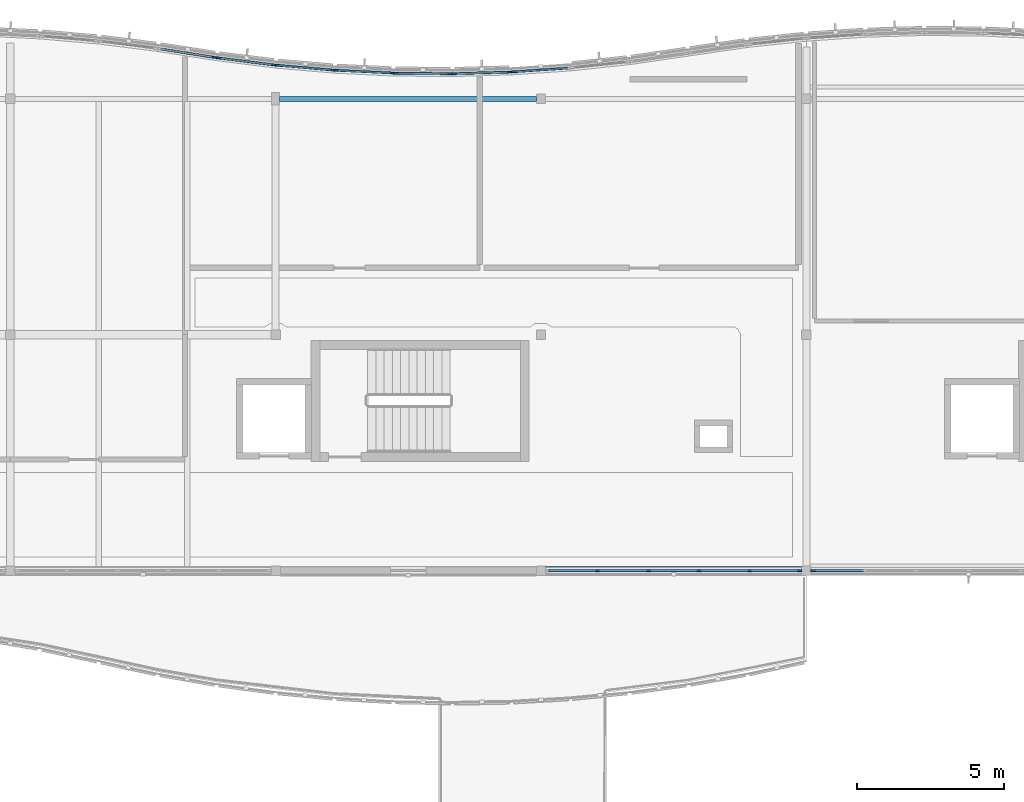
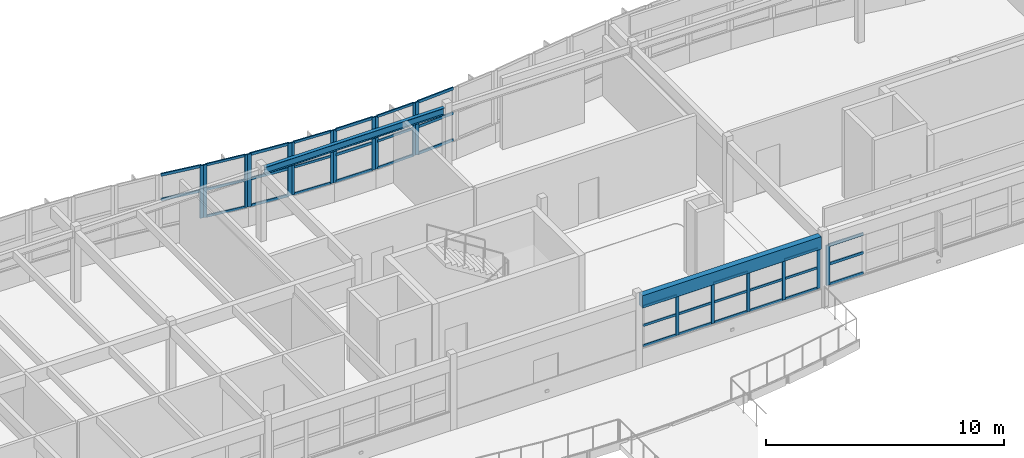
# One storey, part 8 of 33: 56 members, 2 beams, 9 elements without a shape of their own.
"""IFC4 building model written with IfcOpenShell, lengths in metres."""

from ifc_helpers import new_model, si_unit, direction, frame, origin, origin_2d, place, context, subcontext, project, spatial, rectangle, i_section, extrude, material, layer, layer_set, material_profile, profile_set, type_object, element, aggregate, save


model = new_model("IFC4")

# Units and contexts
model_context = context("Model", 3, precision=1e-05, world=origin(), true_north=direction((0.0, 1.0)))
body_context = subcontext(model_context, "Body", "Model", "MODEL_VIEW")
ifc_project = project(units=[si_unit("LENGTHUNIT", "METRE"), si_unit("AREAUNIT", "SQUARE_METRE"), si_unit("VOLUMEUNIT", "CUBIC_METRE"), si_unit("PLANEANGLEUNIT", "RADIAN"), si_unit("MASSUNIT", "GRAM", prefix="KILO")], contexts=[model_context])

# Site, building, storey
site_placement = place(None, origin())
site = spatial("IfcSite", under=ifc_project, at=site_placement, CompositionType="ELEMENT")
building_placement = place(site_placement, origin())
building = spatial("IfcBuilding", under=site, at=building_placement, Name="Tonlespit Floodbar School", CompositionType="ELEMENT")
storey_placement = place(building_placement, frame((0.0, 0.0, 16.199951171875)))
storey = spatial("IfcBuildingStorey", under=building, at=storey_placement, Name="L04", CompositionType="ELEMENT", Elevation=16.199951171875)

# Beam
ifc_material_1 = material(Name="Glulam GL28h", Category="wood")
ifc_material_profile_1 = material_profile(ifc_material_1, rectangle(XDim=0.280029296875, YDim=0.639892578125, at=origin_2d()), Name="GL 280x640")
ifc_profile_set_1 = profile_set([ifc_material_profile_1], Name="Glulam GL28h")
beam_type_1 = type_object("IfcBeamType", Name="Beam_GL_280x640", PredefinedType="BEAM", material=ifc_profile_set_1)
beam_1_placement = place(storey_placement, frame((107.159912109375, 104.0, 3.330078125), z_axis=(1.0, 0.0, 0.0), x_axis=(0.0, 1.0, 0.0)))
element("IfcBeam", 1, at=beam_1_placement, inside=storey, type_object=beam_type_1, Name="L04 girder 1286", PredefinedType="BEAM", context=body_context, shape_type="SweptSolid", body=[
    extrude(rectangle(XDim=0.280029296875, YDim=0.639892578125, at=origin_2d()), origin(), (0.0, 0.0, 1.0), 8.68017578125),
])

# Curtain wall, members
ifc_material_2 = material(Name="Anodised Aluminium", Category="aluminium")
ifc_layer_1 = layer(ifc_material_2, 0.159912109375)
ifc_layer_set_1 = layer_set([ifc_layer_1], Name="Anodised Aluminium")
curtain_wall_type_1 = type_object("IfcCurtainWallType", Name="CurtainWall_1950x2700", PredefinedType="NOTDEFINED", material=ifc_layer_set_1)
curtain_wall_1_placement = place(storey_placement, origin())
curtain_wall_1 = element("IfcCurtainWall", 2, at=curtain_wall_1_placement, inside=storey, type_object=curtain_wall_type_1, Name="L04 unitised curtain wall 0192", PredefinedType="NOTDEFINED")
ifc_material_profile_2 = material_profile(ifc_material_2, rectangle(XDim=0.06494140625, YDim=0.14990234375, at=origin_2d()), Name="ALU M65x150")
ifc_profile_set_2 = profile_set([ifc_material_profile_2], Name="Anodised Aluminium")
member_type_1 = type_object("IfcMemberType", Name="CW_Mullion_65x150", PredefinedType="MULLION", material=ifc_profile_set_2)
member_1_placement = place(storey_placement, frame((96.072021484375, 121.38525390625, 0.949951171875), z_axis=(0.0, 0.0, 1.0), x_axis=(0.125013803299, 0.992155002499, 0.0)))
member_1 = element("IfcMember", 3, at=member_1_placement, type_object=member_type_1, Name="CW-04 mullion 1", PredefinedType="MULLION", context=body_context, shape_type="SweptSolid", body=[
    extrude(rectangle(XDim=0.06494140625, YDim=0.14990234375, at=origin_2d()), origin(), (0.0, 0.0, 1.0), 2.7001953125),
])
member_2_placement = place(storey_placement, frame((97.927978515625, 121.1513671875, 0.949951171875), z_axis=(0.0, 0.0, 1.0), x_axis=(0.125013803299, 0.992155002499, 0.0)))
member_2 = element("IfcMember", 4, at=member_2_placement, type_object=member_type_1, Name="CW-04 mullion 2", PredefinedType="MULLION", context=body_context, shape_type="SweptSolid", body=[
    extrude(rectangle(XDim=0.06494140625, YDim=0.14990234375, at=origin_2d()), origin(), (0.0, 0.0, 1.0), 2.7001953125),
])

ifc_layer_2 = layer(ifc_material_2, 0.159912109375)
ifc_layer_set_2 = layer_set([ifc_layer_2], Name="Anodised Aluminium")
curtain_wall_type_2 = type_object("IfcCurtainWallType", Name="CurtainWall_1900x2700", PredefinedType="NOTDEFINED", material=ifc_layer_set_2)
curtain_wall_2_placement = place(storey_placement, origin())
curtain_wall_2 = element("IfcCurtainWall", 5, at=curtain_wall_2_placement, inside=storey, type_object=curtain_wall_type_2, Name="L04 unitised curtain wall 0194", PredefinedType="NOTDEFINED")
member_3_placement = place(storey_placement, frame((100.072509765625, 120.965087890625, 0.949951171875), z_axis=(0.0, 0.0, 1.0), x_axis=(0.048121270216, 0.998841500616, 0.0)))
member_3 = element("IfcMember", 6, at=member_3_placement, type_object=member_type_1, Name="CW-05 mullion 1", PredefinedType="MULLION", context=body_context, shape_type="SweptSolid", body=[
    extrude(rectangle(XDim=0.06494140625, YDim=0.14990234375, at=origin_2d()), origin(), (0.0, 0.0, 1.0), 2.7001953125),
])
member_4_placement = place(storey_placement, frame((101.927490234375, 120.875732421875, 0.949951171875), z_axis=(0.0, 0.0, 1.0), x_axis=(0.048121270216, 0.998841500616, 0.0)))
member_4 = element("IfcMember", 7, at=member_4_placement, type_object=member_type_1, Name="CW-05 mullion 2", PredefinedType="MULLION", context=body_context, shape_type="SweptSolid", body=[
    extrude(rectangle(XDim=0.06494140625, YDim=0.14990234375, at=origin_2d()), origin(), (0.0, 0.0, 1.0), 2.7001953125),
])

curtain_wall_3_placement = place(storey_placement, origin())
curtain_wall_3 = element("IfcCurtainWall", 8, at=curtain_wall_3_placement, inside=storey, type_object=curtain_wall_type_2, Name="L04 unitised curtain wall 0196", PredefinedType="NOTDEFINED")
member_5_placement = place(storey_placement, frame((104.072509765625, 120.855224609375, 0.949951171875), z_axis=(0.0, 0.0, 1.0), x_axis=(-0.028790144226, 0.999585477883, 0.0)))
member_5 = element("IfcMember", 9, at=member_5_placement, type_object=member_type_1, Name="CW-05 mullion 1", PredefinedType="MULLION", context=body_context, shape_type="SweptSolid", body=[
    extrude(rectangle(XDim=0.06494140625, YDim=0.14990234375, at=origin_2d()), origin(), (0.0, 0.0, 1.0), 2.7001953125),
])
member_6_placement = place(storey_placement, frame((105.927490234375, 120.908447265625, 0.949951171875), z_axis=(0.0, 0.0, 1.0), x_axis=(-0.028790144226, 0.999585477883, 0.0)))
member_6 = element("IfcMember", 10, at=member_6_placement, type_object=member_type_1, Name="CW-05 mullion 2", PredefinedType="MULLION", context=body_context, shape_type="SweptSolid", body=[
    extrude(rectangle(XDim=0.06494140625, YDim=0.14990234375, at=origin_2d()), origin(), (0.0, 0.0, 1.0), 2.7001953125),
])

ifc_layer_3 = layer(ifc_material_2, 0.159912109375)
ifc_layer_set_3 = layer_set([ifc_layer_3], Name="Anodised Aluminium")
curtain_wall_type_3 = type_object("IfcCurtainWallType", Name="CurtainWall_8600x2050", PredefinedType="NOTDEFINED", material=ifc_layer_set_3)
curtain_wall_4_placement = place(storey_placement, origin())
curtain_wall_4 = element("IfcCurtainWall", 11, at=curtain_wall_4_placement, inside=storey, type_object=curtain_wall_type_3, Name="L04 unitised curtain wall 0202", PredefinedType="NOTDEFINED")
member_7_placement = place(storey_placement, frame((115.767578125, 104.0, 0.949951171875), z_axis=(0.0, 0.0, 1.0), x_axis=(0.0, -1.0, 0.0)))
member_7 = element("IfcMember", 12, at=member_7_placement, type_object=member_type_1, Name="CW-08 mullion 1", PredefinedType="MULLION", context=body_context, shape_type="SweptSolid", body=[
    extrude(rectangle(XDim=0.06494140625, YDim=0.14990234375, at=origin_2d()), origin(), (0.0, 0.0, 1.0), 2.06005859375),
])
member_8_placement = place(storey_placement, frame((114.080078125, 104.0, 0.949951171875), z_axis=(0.0, 0.0, 1.0), x_axis=(0.0, -1.0, 0.0)))
member_8 = element("IfcMember", 13, at=member_8_placement, type_object=member_type_1, Name="CW-08 mullion 2", PredefinedType="MULLION", context=body_context, shape_type="SweptSolid", body=[
    extrude(rectangle(XDim=0.06494140625, YDim=0.14990234375, at=origin_2d()), origin(), (0.0, 0.0, 1.0), 2.06005859375),
])
member_9_placement = place(storey_placement, frame((112.360107421875, 104.0, 0.949951171875), z_axis=(0.0, 0.0, 1.0), x_axis=(0.0, -1.0, 0.0)))
member_9 = element("IfcMember", 14, at=member_9_placement, type_object=member_type_1, Name="CW-08 mullion 3", PredefinedType="MULLION", context=body_context, shape_type="SweptSolid", body=[
    extrude(rectangle(XDim=0.06494140625, YDim=0.14990234375, at=origin_2d()), origin(), (0.0, 0.0, 1.0), 2.06005859375),
])
member_10_placement = place(storey_placement, frame((110.639892578125, 104.0, 0.949951171875), z_axis=(0.0, 0.0, 1.0), x_axis=(0.0, -1.0, 0.0)))
member_10 = element("IfcMember", 15, at=member_10_placement, type_object=member_type_1, Name="CW-08 mullion 4", PredefinedType="MULLION", context=body_context, shape_type="SweptSolid", body=[
    extrude(rectangle(XDim=0.06494140625, YDim=0.14990234375, at=origin_2d()), origin(), (0.0, 0.0, 1.0), 2.06005859375),
])
member_11_placement = place(storey_placement, frame((108.919921875, 104.0, 0.949951171875), z_axis=(0.0, 0.0, 1.0), x_axis=(0.0, -1.0, 0.0)))
member_11 = element("IfcMember", 16, at=member_11_placement, type_object=member_type_1, Name="CW-08 mullion 5", PredefinedType="MULLION", context=body_context, shape_type="SweptSolid", body=[
    extrude(rectangle(XDim=0.06494140625, YDim=0.14990234375, at=origin_2d()), origin(), (0.0, 0.0, 1.0), 2.06005859375),
])

# Curtain wall, member
curtain_wall_5_placement = place(storey_placement, origin())
curtain_wall_5 = element("IfcCurtainWall", 17, at=curtain_wall_5_placement, inside=storey, type_object=curtain_wall_type_1, Name="L04 unitised curtain wall 0191", PredefinedType="NOTDEFINED")
ifc_material_profile_3 = material_profile(ifc_material_2, rectangle(XDim=0.06494140625, YDim=0.179931640625, at=origin_2d()), Name="ALU M65x180")
ifc_profile_set_3 = profile_set([ifc_material_profile_3], Name="Anodised Aluminium")
member_type_2 = type_object("IfcMemberType", Name="CW_Mullion_65x180", PredefinedType="MULLION", material=ifc_profile_set_3)
member_12_placement = place(storey_placement, frame((95.928466796875, 121.405517578125, 0.949951171875), z_axis=(0.0, 0.0, 1.0), x_axis=(0.153796288585, 0.988102576465, 0.0)))
member_12 = element("IfcMember", 18, at=member_12_placement, type_object=member_type_2, Name="CW-04 mullion 2", PredefinedType="MULLION", context=body_context, shape_type="SweptSolid", body=[
    extrude(rectangle(XDim=0.06494140625, YDim=0.179931640625, at=origin_2d()), origin(), (0.0, 0.0, 1.0), 2.7001953125),
])

# Curtain wall, members
curtain_wall_6_placement = place(storey_placement, origin())
curtain_wall_6 = element("IfcCurtainWall", 19, at=curtain_wall_6_placement, inside=storey, type_object=curtain_wall_type_1, Name="L04 unitised curtain wall 0193", PredefinedType="NOTDEFINED")
member_13_placement = place(storey_placement, frame((98.072265625, 121.135986328125, 0.949951171875), z_axis=(0.0, 0.0, 1.0), x_axis=(0.086531117454, 0.996249148412, 0.0)))
member_13 = element("IfcMember", 20, at=member_13_placement, type_object=member_type_2, Name="CW-04 mullion 1", PredefinedType="MULLION", context=body_context, shape_type="SweptSolid", body=[
    extrude(rectangle(XDim=0.06494140625, YDim=0.179931640625, at=origin_2d()), origin(), (0.0, 0.0, 1.0), 2.7001953125),
])
member_14_placement = place(storey_placement, frame((99.927734375, 120.974853515625, 0.949951171875), z_axis=(0.0, 0.0, 1.0), x_axis=(0.086531117454, 0.996249148412, 0.0)))
member_14 = element("IfcMember", 21, at=member_14_placement, type_object=member_type_2, Name="CW-04 mullion 2", PredefinedType="MULLION", context=body_context, shape_type="SweptSolid", body=[
    extrude(rectangle(XDim=0.06494140625, YDim=0.179931640625, at=origin_2d()), origin(), (0.0, 0.0, 1.0), 2.7001953125),
])

curtain_wall_7_placement = place(storey_placement, origin())
curtain_wall_7 = element("IfcCurtainWall", 22, at=curtain_wall_7_placement, inside=storey, type_object=curtain_wall_type_2, Name="L04 unitised curtain wall 0195", PredefinedType="NOTDEFINED")
member_15_placement = place(storey_placement, frame((102.072509765625, 120.87158203125, 0.949951171875), z_axis=(0.0, 0.0, 1.0), x_axis=(0.009582893292, 0.999954083024, 0.0)))
member_15 = element("IfcMember", 23, at=member_15_placement, type_object=member_type_2, Name="CW-05 mullion 1", PredefinedType="MULLION", context=body_context, shape_type="SweptSolid", body=[
    extrude(rectangle(XDim=0.06494140625, YDim=0.179931640625, at=origin_2d()), origin(), (0.0, 0.0, 1.0), 2.7001953125),
])
member_16_placement = place(storey_placement, frame((103.927490234375, 120.853759765625, 0.949951171875), z_axis=(0.0, 0.0, 1.0), x_axis=(0.009582893292, 0.999954083024, 0.0)))
member_16 = element("IfcMember", 24, at=member_16_placement, type_object=member_type_2, Name="CW-05 mullion 2", PredefinedType="MULLION", context=body_context, shape_type="SweptSolid", body=[
    extrude(rectangle(XDim=0.06494140625, YDim=0.179931640625, at=origin_2d()), origin(), (0.0, 0.0, 1.0), 2.7001953125),
])

# Curtain wall, member
curtain_wall_8_placement = place(storey_placement, origin())
curtain_wall_8 = element("IfcCurtainWall", 25, at=curtain_wall_8_placement, inside=storey, type_object=curtain_wall_type_2, Name="L04 unitised curtain wall 0197", PredefinedType="NOTDEFINED")
member_17_placement = place(storey_placement, frame((106.072265625, 120.91552734375, 0.949951171875), z_axis=(0.0, 0.0, 1.0), x_axis=(-0.067339767311, 0.99773010165, 0.0)))
member_17 = element("IfcMember", 26, at=member_17_placement, type_object=member_type_2, Name="CW-05 mullion 1", PredefinedType="MULLION", context=body_context, shape_type="SweptSolid", body=[
    extrude(rectangle(XDim=0.06494140625, YDim=0.179931640625, at=origin_2d()), origin(), (0.0, 0.0, 1.0), 2.7001953125),
])

ifc_layer_4 = layer(ifc_material_2, 0.159912109375)
ifc_layer_set_4 = layer_set([ifc_layer_4], Name="Anodised Aluminium")
curtain_wall_type_4 = type_object("IfcCurtainWallType", Name="CurtainWall_10600x2050", PredefinedType="NOTDEFINED", material=ifc_layer_set_4)
curtain_wall_9_placement = place(storey_placement, origin())
curtain_wall_9 = element("IfcCurtainWall", 27, at=curtain_wall_9_placement, inside=storey, type_object=curtain_wall_type_4, Name="L04 unitised curtain wall 0495", PredefinedType="NOTDEFINED")
member_18_placement = place(storey_placement, frame((116.232421875, 104.0, 0.949951171875), z_axis=(0.0, 0.0, 1.0), x_axis=(0.0, -1.0, 0.0)))
member_18 = element("IfcMember", 28, at=member_18_placement, type_object=member_type_2, Name="CW-80 mullion 7", PredefinedType="MULLION", context=body_context, shape_type="SweptSolid", body=[
    extrude(rectangle(XDim=0.06494140625, YDim=0.179931640625, at=origin_2d()), origin(), (0.0, 0.0, 1.0), 2.06005859375),
])

# Member
ifc_material_profile_4 = material_profile(ifc_material_2, rectangle(XDim=0.06494140625, YDim=0.1201171875, at=origin_2d()), Name="ALU T65x120")
ifc_profile_set_4 = profile_set([ifc_material_profile_4], Name="Anodised Aluminium")
member_type_3 = type_object("IfcMemberType", Name="CW_Transom_65x120", PredefinedType="USERDEFINED", material=ifc_profile_set_4)
member_19_placement = place(storey_placement, frame((96.104248046875, 121.381103515625, 0.982666015625), z_axis=(0.992165142165, -0.124933304901, 0.0), x_axis=(0.124933304901, 0.992165142165, 0.0)))
member_19 = element("IfcMember", 29, at=member_19_placement, type_object=member_type_3, Name="CW-04 transom 1.1", ObjectType="TRANSOM", PredefinedType="USERDEFINED", context=body_context, shape_type="SweptSolid", body=[
    extrude(rectangle(XDim=0.06494140625, YDim=0.1201171875, at=origin_2d()), origin(), (0.0, 0.0, 1.0), 1.8056640625),
])

member_20_placement = place(storey_placement, frame((96.104248046875, 121.381103515625, 2.35400390625), z_axis=(0.992165142165, -0.124933304901, 0.0), x_axis=(0.124933304901, 0.992165142165, 0.0)))
member_20 = element("IfcMember", 30, at=member_20_placement, type_object=member_type_3, Name="CW-04 transom 1.2", ObjectType="TRANSOM", PredefinedType="USERDEFINED", context=body_context, shape_type="SweptSolid", body=[
    extrude(rectangle(XDim=0.06494140625, YDim=0.1201171875, at=origin_2d()), origin(), (0.0, 0.0, 1.0), 1.8056640625),
])

member_21_placement = place(storey_placement, frame((96.104248046875, 121.381103515625, 3.617431640625), z_axis=(0.992165142165, -0.124933304901, 0.0), x_axis=(0.124933304901, 0.992165142165, 0.0)))
member_21 = element("IfcMember", 31, at=member_21_placement, type_object=member_type_3, Name="CW-04 transom 1.3", ObjectType="TRANSOM", PredefinedType="USERDEFINED", context=body_context, shape_type="SweptSolid", body=[
    extrude(rectangle(XDim=0.06494140625, YDim=0.1201171875, at=origin_2d()), origin(), (0.0, 0.0, 1.0), 1.8056640625),
])

aggregate(curtain_wall_1, [member_1, member_2, member_19, member_20, member_21])

member_22_placement = place(storey_placement, frame((100.10498046875, 120.96337890625, 0.982666015625), z_axis=(0.998843034795, -0.048089415069, 0.0), x_axis=(0.048089415069, 0.998843034795, 0.0)))
member_22 = element("IfcMember", 32, at=member_22_placement, type_object=member_type_3, Name="CW-05 transom 1.1", ObjectType="TRANSOM", PredefinedType="USERDEFINED", context=body_context, shape_type="SweptSolid", body=[
    extrude(rectangle(XDim=0.06494140625, YDim=0.1201171875, at=origin_2d()), origin(), (0.0, 0.0, 1.0), 1.7919921875),
])

member_23_placement = place(storey_placement, frame((100.10498046875, 120.96337890625, 2.35400390625), z_axis=(0.998843034795, -0.048089415069, 0.0), x_axis=(0.048089415069, 0.998843034795, 0.0)))
member_23 = element("IfcMember", 33, at=member_23_placement, type_object=member_type_3, Name="CW-05 transom 1.2", ObjectType="TRANSOM", PredefinedType="USERDEFINED", context=body_context, shape_type="SweptSolid", body=[
    extrude(rectangle(XDim=0.06494140625, YDim=0.1201171875, at=origin_2d()), origin(), (0.0, 0.0, 1.0), 1.7919921875),
])

member_24_placement = place(storey_placement, frame((100.10498046875, 120.96337890625, 3.617431640625), z_axis=(0.998843034795, -0.048089415069, 0.0), x_axis=(0.048089415069, 0.998843034795, 0.0)))
member_24 = element("IfcMember", 34, at=member_24_placement, type_object=member_type_3, Name="CW-05 transom 1.3", ObjectType="TRANSOM", PredefinedType="USERDEFINED", context=body_context, shape_type="SweptSolid", body=[
    extrude(rectangle(XDim=0.06494140625, YDim=0.1201171875, at=origin_2d()), origin(), (0.0, 0.0, 1.0), 1.7919921875),
])

aggregate(curtain_wall_2, [member_3, member_4, member_22, member_23, member_24])

member_25_placement = place(storey_placement, frame((104.10498046875, 120.85595703125, 0.982666015625), z_axis=(0.999582242166, 0.028902268868, 0.0), x_axis=(-0.028902268868, 0.999582242166, 0.0)))
member_25 = element("IfcMember", 35, at=member_25_placement, type_object=member_type_3, Name="CW-05 transom 1.1", ObjectType="TRANSOM", PredefinedType="USERDEFINED", context=body_context, shape_type="SweptSolid", body=[
    extrude(rectangle(XDim=0.06494140625, YDim=0.1201171875, at=origin_2d()), origin(), (0.0, 0.0, 1.0), 1.790771484375),
])

member_26_placement = place(storey_placement, frame((104.10498046875, 120.85595703125, 2.35400390625), z_axis=(0.999582242166, 0.028902268868, 0.0), x_axis=(-0.028902268868, 0.999582242166, 0.0)))
member_26 = element("IfcMember", 36, at=member_26_placement, type_object=member_type_3, Name="CW-05 transom 1.2", ObjectType="TRANSOM", PredefinedType="USERDEFINED", context=body_context, shape_type="SweptSolid", body=[
    extrude(rectangle(XDim=0.06494140625, YDim=0.1201171875, at=origin_2d()), origin(), (0.0, 0.0, 1.0), 1.790771484375),
])

member_27_placement = place(storey_placement, frame((104.10498046875, 120.85595703125, 3.617431640625), z_axis=(0.999582242166, 0.028902268868, 0.0), x_axis=(-0.028902268868, 0.999582242166, 0.0)))
member_27 = element("IfcMember", 37, at=member_27_placement, type_object=member_type_3, Name="CW-05 transom 1.3", ObjectType="TRANSOM", PredefinedType="USERDEFINED", context=body_context, shape_type="SweptSolid", body=[
    extrude(rectangle(XDim=0.06494140625, YDim=0.1201171875, at=origin_2d()), origin(), (0.0, 0.0, 1.0), 1.790771484375),
])

aggregate(curtain_wall_3, [member_5, member_6, member_25, member_26, member_27])

member_28_placement = place(storey_placement, frame((115.735107421875, 104.0, 0.982666015625), z_axis=(-1.0, 0.0, 0.0), x_axis=(0.0, -1.0, 0.0)))
member_28 = element("IfcMember", 38, at=member_28_placement, type_object=member_type_3, Name="CW-08 transom 1.1", ObjectType="TRANSOM", PredefinedType="USERDEFINED", context=body_context, shape_type="SweptSolid", body=[
    extrude(rectangle(XDim=0.06494140625, YDim=0.1201171875, at=origin_2d()), origin(), (0.0, 0.0, 1.0), 1.62255859375),
])

member_29_placement = place(storey_placement, frame((115.735107421875, 104.0, 2.021240234375), z_axis=(-1.0, 0.0, 0.0), x_axis=(0.0, -1.0, 0.0)))
member_29 = element("IfcMember", 39, at=member_29_placement, type_object=member_type_3, Name="CW-08 transom 1.2", ObjectType="TRANSOM", PredefinedType="USERDEFINED", context=body_context, shape_type="SweptSolid", body=[
    extrude(rectangle(XDim=0.06494140625, YDim=0.1201171875, at=origin_2d()), origin(), (0.0, 0.0, 1.0), 1.62255859375),
])

member_30_placement = place(storey_placement, frame((115.735107421875, 104.0, 2.9775390625), z_axis=(-1.0, 0.0, 0.0), x_axis=(0.0, -1.0, 0.0)))
member_30 = element("IfcMember", 40, at=member_30_placement, type_object=member_type_3, Name="CW-08 transom 1.3", ObjectType="TRANSOM", PredefinedType="USERDEFINED", context=body_context, shape_type="SweptSolid", body=[
    extrude(rectangle(XDim=0.06494140625, YDim=0.1201171875, at=origin_2d()), origin(), (0.0, 0.0, 1.0), 1.62255859375),
])

member_31_placement = place(storey_placement, frame((114.047607421875, 104.0, 0.982666015625), z_axis=(-1.0, 0.0, 0.0), x_axis=(0.0, -1.0, 0.0)))
member_31 = element("IfcMember", 41, at=member_31_placement, type_object=member_type_3, Name="CW-08 transom 2.1", ObjectType="TRANSOM", PredefinedType="USERDEFINED", context=body_context, shape_type="SweptSolid", body=[
    extrude(rectangle(XDim=0.06494140625, YDim=0.1201171875, at=origin_2d()), origin(), (0.0, 0.0, 1.0), 1.655029296875),
])

member_32_placement = place(storey_placement, frame((114.047607421875, 104.0, 2.021240234375), z_axis=(-1.0, 0.0, 0.0), x_axis=(0.0, -1.0, 0.0)))
member_32 = element("IfcMember", 42, at=member_32_placement, type_object=member_type_3, Name="CW-08 transom 2.2", ObjectType="TRANSOM", PredefinedType="USERDEFINED", context=body_context, shape_type="SweptSolid", body=[
    extrude(rectangle(XDim=0.06494140625, YDim=0.1201171875, at=origin_2d()), origin(), (0.0, 0.0, 1.0), 1.655029296875),
])

member_33_placement = place(storey_placement, frame((114.047607421875, 104.0, 2.9775390625), z_axis=(-1.0, 0.0, 0.0), x_axis=(0.0, -1.0, 0.0)))
member_33 = element("IfcMember", 43, at=member_33_placement, type_object=member_type_3, Name="CW-08 transom 2.3", ObjectType="TRANSOM", PredefinedType="USERDEFINED", context=body_context, shape_type="SweptSolid", body=[
    extrude(rectangle(XDim=0.06494140625, YDim=0.1201171875, at=origin_2d()), origin(), (0.0, 0.0, 1.0), 1.655029296875),
])

member_34_placement = place(storey_placement, frame((112.327392578125, 104.0, 0.982666015625), z_axis=(-1.0, 0.0, 0.0), x_axis=(0.0, -1.0, 0.0)))
member_34 = element("IfcMember", 44, at=member_34_placement, type_object=member_type_3, Name="CW-08 transom 3.1", ObjectType="TRANSOM", PredefinedType="USERDEFINED", context=body_context, shape_type="SweptSolid", body=[
    extrude(rectangle(XDim=0.06494140625, YDim=0.1201171875, at=origin_2d()), origin(), (0.0, 0.0, 1.0), 1.65478515625),
])

member_35_placement = place(storey_placement, frame((112.327392578125, 104.0, 2.021240234375), z_axis=(-1.0, 0.0, 0.0), x_axis=(0.0, -1.0, 0.0)))
member_35 = element("IfcMember", 45, at=member_35_placement, type_object=member_type_3, Name="CW-08 transom 3.2", ObjectType="TRANSOM", PredefinedType="USERDEFINED", context=body_context, shape_type="SweptSolid", body=[
    extrude(rectangle(XDim=0.06494140625, YDim=0.1201171875, at=origin_2d()), origin(), (0.0, 0.0, 1.0), 1.65478515625),
])

member_36_placement = place(storey_placement, frame((112.327392578125, 104.0, 2.9775390625), z_axis=(-1.0, 0.0, 0.0), x_axis=(0.0, -1.0, 0.0)))
member_36 = element("IfcMember", 46, at=member_36_placement, type_object=member_type_3, Name="CW-08 transom 3.3", ObjectType="TRANSOM", PredefinedType="USERDEFINED", context=body_context, shape_type="SweptSolid", body=[
    extrude(rectangle(XDim=0.06494140625, YDim=0.1201171875, at=origin_2d()), origin(), (0.0, 0.0, 1.0), 1.65478515625),
])

member_37_placement = place(storey_placement, frame((110.607421875, 104.0, 0.982666015625), z_axis=(-1.0, 0.0, 0.0), x_axis=(0.0, -1.0, 0.0)))
member_37 = element("IfcMember", 47, at=member_37_placement, type_object=member_type_3, Name="CW-08 transom 4.1", ObjectType="TRANSOM", PredefinedType="USERDEFINED", context=body_context, shape_type="SweptSolid", body=[
    extrude(rectangle(XDim=0.06494140625, YDim=0.1201171875, at=origin_2d()), origin(), (0.0, 0.0, 1.0), 1.655029296875),
])

member_38_placement = place(storey_placement, frame((110.607421875, 104.0, 2.021240234375), z_axis=(-1.0, 0.0, 0.0), x_axis=(0.0, -1.0, 0.0)))
member_38 = element("IfcMember", 48, at=member_38_placement, type_object=member_type_3, Name="CW-08 transom 4.2", ObjectType="TRANSOM", PredefinedType="USERDEFINED", context=body_context, shape_type="SweptSolid", body=[
    extrude(rectangle(XDim=0.06494140625, YDim=0.1201171875, at=origin_2d()), origin(), (0.0, 0.0, 1.0), 1.655029296875),
])

member_39_placement = place(storey_placement, frame((110.607421875, 104.0, 2.9775390625), z_axis=(-1.0, 0.0, 0.0), x_axis=(0.0, -1.0, 0.0)))
member_39 = element("IfcMember", 49, at=member_39_placement, type_object=member_type_3, Name="CW-08 transom 4.3", ObjectType="TRANSOM", PredefinedType="USERDEFINED", context=body_context, shape_type="SweptSolid", body=[
    extrude(rectangle(XDim=0.06494140625, YDim=0.1201171875, at=origin_2d()), origin(), (0.0, 0.0, 1.0), 1.655029296875),
])

member_40_placement = place(storey_placement, frame((108.887451171875, 104.0, 0.982666015625), z_axis=(-1.0, 0.0, 0.0), x_axis=(0.0, -1.0, 0.0)))
member_40 = element("IfcMember", 50, at=member_40_placement, type_object=member_type_3, Name="CW-08 transom 5.1", ObjectType="TRANSOM", PredefinedType="USERDEFINED", context=body_context, shape_type="SweptSolid", body=[
    extrude(rectangle(XDim=0.06494140625, YDim=0.1201171875, at=origin_2d()), origin(), (0.0, 0.0, 1.0), 1.62255859375),
])

member_41_placement = place(storey_placement, frame((108.887451171875, 104.0, 2.021240234375), z_axis=(-1.0, 0.0, 0.0), x_axis=(0.0, -1.0, 0.0)))
member_41 = element("IfcMember", 51, at=member_41_placement, type_object=member_type_3, Name="CW-08 transom 5.2", ObjectType="TRANSOM", PredefinedType="USERDEFINED", context=body_context, shape_type="SweptSolid", body=[
    extrude(rectangle(XDim=0.06494140625, YDim=0.1201171875, at=origin_2d()), origin(), (0.0, 0.0, 1.0), 1.62255859375),
])

member_42_placement = place(storey_placement, frame((108.887451171875, 104.0, 2.9775390625), z_axis=(-1.0, 0.0, 0.0), x_axis=(0.0, -1.0, 0.0)))
member_42 = element("IfcMember", 52, at=member_42_placement, type_object=member_type_3, Name="CW-08 transom 5.3", ObjectType="TRANSOM", PredefinedType="USERDEFINED", context=body_context, shape_type="SweptSolid", body=[
    extrude(rectangle(XDim=0.06494140625, YDim=0.1201171875, at=origin_2d()), origin(), (0.0, 0.0, 1.0), 1.62255859375),
])

aggregate(curtain_wall_4, [member_7, member_8, member_9, member_10, member_11, member_28, member_29, member_30, member_31, member_32, member_33, member_34, member_35, member_36, member_37, member_38, member_39, member_40, member_41, member_42])

ifc_material_profile_5 = material_profile(ifc_material_2, rectangle(XDim=0.06494140625, YDim=0.139892578125, at=origin_2d()), Name="ALU T65x140")
ifc_profile_set_5 = profile_set([ifc_material_profile_5], Name="Anodised Aluminium")
member_type_4 = type_object("IfcMemberType", Name="CW_Transom_65x140", PredefinedType="USERDEFINED", material=ifc_profile_set_5)
member_43_placement = place(storey_placement, frame((94.103759765625, 121.689453125, 2.35400390625), z_axis=(0.988097838313, -0.15382672694, 0.0), x_axis=(0.15382672694, 0.988097838313, 0.0)))
member_43 = element("IfcMember", 53, at=member_43_placement, type_object=member_type_4, Name="CW-04 transom 1.2", ObjectType="TRANSOM", PredefinedType="USERDEFINED", context=body_context, shape_type="SweptSolid", body=[
    extrude(rectangle(XDim=0.06494140625, YDim=0.139892578125, at=origin_2d()), origin(), (0.0, 0.0, 1.0), 1.81396484375),
])

member_44_placement = place(storey_placement, frame((94.103759765625, 121.689453125, 3.617431640625), z_axis=(0.988097838313, -0.15382672694, 0.0), x_axis=(0.15382672694, 0.988097838313, 0.0)))
member_44 = element("IfcMember", 54, at=member_44_placement, type_object=member_type_4, Name="CW-04 transom 1.3", ObjectType="TRANSOM", PredefinedType="USERDEFINED", context=body_context, shape_type="SweptSolid", body=[
    extrude(rectangle(XDim=0.06494140625, YDim=0.139892578125, at=origin_2d()), origin(), (0.0, 0.0, 1.0), 1.81396484375),
])

aggregate(curtain_wall_5, [member_12, member_43, member_44])

member_45_placement = place(storey_placement, frame((98.1044921875, 121.133056640625, 0.982666015625), z_axis=(0.996251281774, -0.086506552139, 0.0), x_axis=(0.086506552139, 0.996251281774, 0.0)))
member_45 = element("IfcMember", 55, at=member_45_placement, type_object=member_type_4, Name="CW-04 transom 1.1", ObjectType="TRANSOM", PredefinedType="USERDEFINED", context=body_context, shape_type="SweptSolid", body=[
    extrude(rectangle(XDim=0.06494140625, YDim=0.139892578125, at=origin_2d()), origin(), (0.0, 0.0, 1.0), 1.7978515625),
])

member_46_placement = place(storey_placement, frame((98.1044921875, 121.133056640625, 2.35400390625), z_axis=(0.996251281774, -0.086506552139, 0.0), x_axis=(0.086506552139, 0.996251281774, 0.0)))
member_46 = element("IfcMember", 56, at=member_46_placement, type_object=member_type_4, Name="CW-04 transom 1.2", ObjectType="TRANSOM", PredefinedType="USERDEFINED", context=body_context, shape_type="SweptSolid", body=[
    extrude(rectangle(XDim=0.06494140625, YDim=0.139892578125, at=origin_2d()), origin(), (0.0, 0.0, 1.0), 1.7978515625),
])

member_47_placement = place(storey_placement, frame((98.1044921875, 121.133056640625, 3.617431640625), z_axis=(0.996251281774, -0.086506552139, 0.0), x_axis=(0.086506552139, 0.996251281774, 0.0)))
member_47 = element("IfcMember", 57, at=member_47_placement, type_object=member_type_4, Name="CW-04 transom 1.3", ObjectType="TRANSOM", PredefinedType="USERDEFINED", context=body_context, shape_type="SweptSolid", body=[
    extrude(rectangle(XDim=0.06494140625, YDim=0.139892578125, at=origin_2d()), origin(), (0.0, 0.0, 1.0), 1.7978515625),
])

aggregate(curtain_wall_6, [member_13, member_14, member_45, member_46, member_47])

member_48_placement = place(storey_placement, frame((102.10498046875, 120.87109375, 0.982666015625), z_axis=(0.999954428693, -0.00954675532, 0.0), x_axis=(0.00954675532, 0.999954428693, 0.0)))
member_48 = element("IfcMember", 58, at=member_48_placement, type_object=member_type_4, Name="CW-05 transom 1.1", ObjectType="TRANSOM", PredefinedType="USERDEFINED", context=body_context, shape_type="SweptSolid", body=[
    extrude(rectangle(XDim=0.06494140625, YDim=0.139892578125, at=origin_2d()), origin(), (0.0, 0.0, 1.0), 1.7900390625),
])

member_49_placement = place(storey_placement, frame((102.10498046875, 120.87109375, 2.35400390625), z_axis=(0.999954428693, -0.00954675532, 0.0), x_axis=(0.00954675532, 0.999954428693, 0.0)))
member_49 = element("IfcMember", 59, at=member_49_placement, type_object=member_type_4, Name="CW-05 transom 1.2", ObjectType="TRANSOM", PredefinedType="USERDEFINED", context=body_context, shape_type="SweptSolid", body=[
    extrude(rectangle(XDim=0.06494140625, YDim=0.139892578125, at=origin_2d()), origin(), (0.0, 0.0, 1.0), 1.7900390625),
])

member_50_placement = place(storey_placement, frame((102.10498046875, 120.87109375, 3.617431640625), z_axis=(0.999954428693, -0.00954675532, 0.0), x_axis=(0.00954675532, 0.999954428693, 0.0)))
member_50 = element("IfcMember", 60, at=member_50_placement, type_object=member_type_4, Name="CW-05 transom 1.3", ObjectType="TRANSOM", PredefinedType="USERDEFINED", context=body_context, shape_type="SweptSolid", body=[
    extrude(rectangle(XDim=0.06494140625, YDim=0.139892578125, at=origin_2d()), origin(), (0.0, 0.0, 1.0), 1.7900390625),
])

aggregate(curtain_wall_7, [member_15, member_16, member_48, member_49, member_50])

member_51_placement = place(storey_placement, frame((106.104736328125, 120.917724609375, 0.982666015625), z_axis=(0.997730041674, 0.067340655935, 0.0), x_axis=(-0.067340655935, 0.997730041674, 0.0)))
member_51 = element("IfcMember", 61, at=member_51_placement, type_object=member_type_4, Name="CW-05 transom 1.1", ObjectType="TRANSOM", PredefinedType="USERDEFINED", context=body_context, shape_type="SweptSolid", body=[
    extrude(rectangle(XDim=0.06494140625, YDim=0.139892578125, at=origin_2d()), origin(), (0.0, 0.0, 1.0), 1.794677734375),
])

member_52_placement = place(storey_placement, frame((106.104736328125, 120.917724609375, 2.35400390625), z_axis=(0.997730041674, 0.067340655935, 0.0), x_axis=(-0.067340655935, 0.997730041674, 0.0)))
member_52 = element("IfcMember", 62, at=member_52_placement, type_object=member_type_4, Name="CW-05 transom 1.2", ObjectType="TRANSOM", PredefinedType="USERDEFINED", context=body_context, shape_type="SweptSolid", body=[
    extrude(rectangle(XDim=0.06494140625, YDim=0.139892578125, at=origin_2d()), origin(), (0.0, 0.0, 1.0), 1.794677734375),
])

member_53_placement = place(storey_placement, frame((106.104736328125, 120.917724609375, 3.617431640625), z_axis=(0.997730041674, 0.067340655935, 0.0), x_axis=(-0.067340655935, 0.997730041674, 0.0)))
member_53 = element("IfcMember", 63, at=member_53_placement, type_object=member_type_4, Name="CW-05 transom 1.3", ObjectType="TRANSOM", PredefinedType="USERDEFINED", context=body_context, shape_type="SweptSolid", body=[
    extrude(rectangle(XDim=0.06494140625, YDim=0.139892578125, at=origin_2d()), origin(), (0.0, 0.0, 1.0), 1.794677734375),
])

aggregate(curtain_wall_8, [member_17, member_51, member_52, member_53])

member_54_placement = place(storey_placement, frame((117.93408203125, 104.0, 0.982666015625), z_axis=(-1.0, 0.0, 0.0), x_axis=(0.0, -1.0, 0.0)))
member_54 = element("IfcMember", 64, at=member_54_placement, type_object=member_type_4, Name="CW-80 transom 6.1", ObjectType="TRANSOM", PredefinedType="USERDEFINED", context=body_context, shape_type="SweptSolid", body=[
    extrude(rectangle(XDim=0.06494140625, YDim=0.139892578125, at=origin_2d()), origin(), (0.0, 0.0, 1.0), 1.669189453125),
])

member_55_placement = place(storey_placement, frame((117.93408203125, 104.0, 2.021240234375), z_axis=(-1.0, 0.0, 0.0), x_axis=(0.0, -1.0, 0.0)))
member_55 = element("IfcMember", 65, at=member_55_placement, type_object=member_type_4, Name="CW-80 transom 6.2", ObjectType="TRANSOM", PredefinedType="USERDEFINED", context=body_context, shape_type="SweptSolid", body=[
    extrude(rectangle(XDim=0.06494140625, YDim=0.139892578125, at=origin_2d()), origin(), (0.0, 0.0, 1.0), 1.669189453125),
])

member_56_placement = place(storey_placement, frame((117.93408203125, 104.0, 2.9775390625), z_axis=(-1.0, 0.0, 0.0), x_axis=(0.0, -1.0, 0.0)))
member_56 = element("IfcMember", 66, at=member_56_placement, type_object=member_type_4, Name="CW-80 transom 6.3", ObjectType="TRANSOM", PredefinedType="USERDEFINED", context=body_context, shape_type="SweptSolid", body=[
    extrude(rectangle(XDim=0.06494140625, YDim=0.139892578125, at=origin_2d()), origin(), (0.0, 0.0, 1.0), 1.669189453125),
])

aggregate(curtain_wall_9, [member_18, member_54, member_55, member_56])

# Beam
ifc_material_3 = material(Name="Steel S355", Category="steel")
ifc_material_profile_6 = material_profile(ifc_material_3, i_section(OverallWidth=0.169921875, OverallDepth=0.360107421875, WebThickness=0.008056640625, FlangeThickness=0.0126953125, at=origin_2d()), Name="IPE 360")
ifc_profile_set_6 = profile_set([ifc_material_profile_6], Name="Steel S355")
beam_type_2 = type_object("IfcBeamType", Name="Spandrel_STL_IPE360", PredefinedType="SPANDREL", material=ifc_profile_set_6)
beam_2_placement = place(storey_placement, frame((98.139892578125, 120.0, 3.469970703125), z_axis=(1.0, 0.0, 0.0), x_axis=(0.0, 1.0, 0.0)))
element("IfcBeam", 67, at=beam_2_placement, inside=storey, type_object=beam_type_2, Name="L04 girder 1303", PredefinedType="SPANDREL", context=body_context, shape_type="SweptSolid", body=[
    extrude(i_section(OverallWidth=0.169921875, OverallDepth=0.360107421875, WebThickness=0.008056640625, FlangeThickness=0.0126953125, at=origin_2d()), origin(), (0.0, 0.0, 1.0), 8.7001953125),
])

save(model, "model.ifc")
